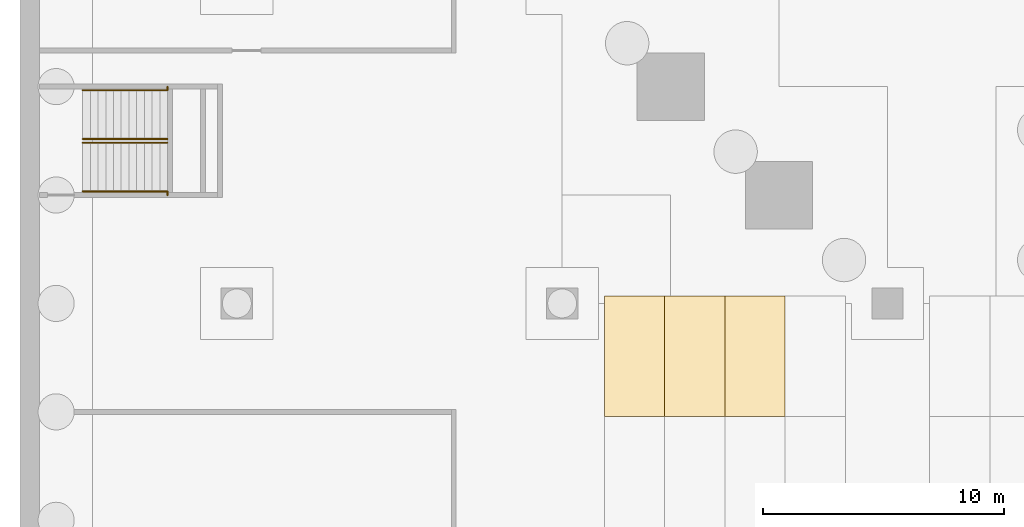
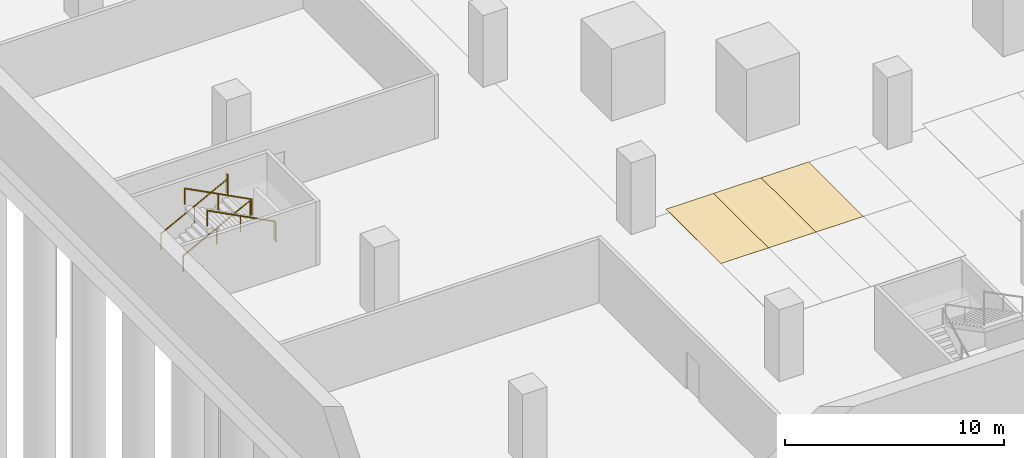
# One storey, part 26 of 40: 6 railings, 3 coverings.
"""IFC4 building model written with IfcOpenShell, lengths in metres."""

import ifcopenshell
import ifcopenshell.guid

model = None  # the IFC model being written
_history = None  # IfcOwnerHistory: only IFC2X3 demands one
_inside = {}  # id of a spatial element -> (the spatial element, [elements in it])
_under = {}  # id of a project, library or spatial element -> (it, [spatial elements below it])
_declared = {}  # id of a project -> (the project, [libraries it declares])
_typed = {}  # id of a type object -> (the type object, [elements of that type])
_made_of = {}  # id of a material, layer set ... -> (it, [elements and type objects made of it])


def new_model(schema):
    """Start an empty IFC model of exactly this schema.

    Asked for "IFC4X3", IfcOpenShell would pick the latest addendum, in which some entities
    have other attributes; the version numbers below select the first issue.
    IFC2X3 requires an IfcOwnerHistory on every rooted entity: one is made here for all.
    """
    global model, _history
    if schema == "IFC4X3":
        model = ifcopenshell.file(schema_version=(4, 3, 0, 0))
    else:
        model = ifcopenshell.file(schema=schema)
    _inside.clear()
    _under.clear()
    _declared.clear()
    _typed.clear()
    _made_of.clear()
    _history = None
    if model.schema == "IFC2X3":
        org = make("IfcOrganization", Name="unknown")
        user = make(
            "IfcPersonAndOrganization",
            ThePerson=make("IfcPerson", FamilyName="unknown"),
            TheOrganization=org,
        )
        app = make(
            "IfcApplication",
            ApplicationDeveloper=org,
            Version="unknown",
            ApplicationFullName="unknown",
            ApplicationIdentifier="unknown",
        )
        _history = make(
            "IfcOwnerHistory",
            OwningUser=user,
            OwningApplication=app,
            ChangeAction="ADDED",
            CreationDate=0,
        )
    return model


def make(cls, **values):
    """One entity of the class cls with the attributes given. An attribute that is None is left unset."""
    return model.create_entity(
        cls, **{name: value for name, value in values.items() if value is not None}
    )


def rooted(cls, **values):
    """An entity with a GlobalId (a new one), such as an element, a storey or a relation."""
    return make(cls, GlobalId=ifcopenshell.guid.new(), OwnerHistory=_history, **values)


def si_unit(unit_type, name, prefix=None):
    """IfcSIUnit, for example si_unit("LENGTHUNIT", "METRE", prefix="MILLI")."""
    return make("IfcSIUnit", UnitType=unit_type, Prefix=prefix, Name=name)


def assignment(units):
    """IfcUnitAssignment: the units of a project."""
    return None if units is None else make("IfcUnitAssignment", Units=units)


def point(xyz):
    """IfcCartesianPoint."""
    return None if xyz is None else make("IfcCartesianPoint", Coordinates=xyz)


def direction(xyz):
    """IfcDirection."""
    return None if xyz is None else make("IfcDirection", DirectionRatios=xyz)


def frame(location, z_axis=None, x_axis=None):
    """IfcAxis2Placement3D, a coordinate frame: its origin and axes. An axis left out is left unset."""
    return make(
        "IfcAxis2Placement3D",
        Location=point(location),
        Axis=direction(z_axis),
        RefDirection=direction(x_axis),
    )


def frame_2d(location, x_axis=None):
    """IfcAxis2Placement2D, a coordinate frame in the plane: its origin and x axis."""
    return make(
        "IfcAxis2Placement2D", Location=point(location), RefDirection=direction(x_axis)
    )


def origin():
    """The frame at (0, 0, 0) with its axes left unset."""
    return frame((0.0, 0.0, 0.0))


def origin_2d():
    """The frame at (0, 0) in the plane with its x axis left unset."""
    return frame_2d((0.0, 0.0))


def place(relative_to, where):
    """IfcLocalPlacement: puts the frame where relative to a parent placement (None: the world)."""
    return make(
        "IfcLocalPlacement", PlacementRelTo=relative_to, RelativePlacement=where
    )


def context(
    kind, dimensions, precision=None, world=None, true_north=None, identifier=None
):
    """IfcGeometricRepresentationContext, for example the 3D "Model" context."""
    return make(
        "IfcGeometricRepresentationContext",
        ContextIdentifier=identifier,
        ContextType=kind,
        CoordinateSpaceDimension=dimensions,
        Precision=precision,
        WorldCoordinateSystem=world,
        TrueNorth=true_north,
    )


def subcontext(parent, identifier, kind, view, scale=None):
    """IfcGeometricRepresentationSubContext, for example "Body" below "Model"."""
    return make(
        "IfcGeometricRepresentationSubContext",
        ContextIdentifier=identifier,
        ContextType=kind,
        ParentContext=parent,
        TargetScale=scale,
        TargetView=view,
    )


def project(units=None, contexts=None):
    """IfcProject with its units and contexts."""
    return rooted(
        "IfcProject",
        Name="project",
        RepresentationContexts=contexts,
        UnitsInContext=assignment(units),
    )


def spatial(cls, under=None, at=None, **own):
    """A site, building, storey or space (cls), placed at a placement, below another one or the project."""
    s = rooted(cls, ObjectPlacement=at, **own)
    if under is not None:
        _under.setdefault(under.id(), (under, []))[1].append(s)
    return s


def polyline(points):
    """IfcPolyline through the points."""
    return make("IfcPolyline", Points=[point(p) for p in points])


def profile(cls, at=None, kind="AREA", **sizes):
    """A parametric profile (cls). Its sizes go by their IFC names, for example OverallWidth=200.0."""
    return make(cls, ProfileType=kind, Position=at, **sizes)


def circle(**sizes):
    """IfcCircleProfileDef."""
    return profile("IfcCircleProfileDef", **sizes)


def outline(outer, holes=None, kind="AREA"):
    """IfcArbitraryClosedProfileDef: a profile drawn as a closed curve; with holes, ...WithVoids."""
    if holes is None:
        return make("IfcArbitraryClosedProfileDef", ProfileType=kind, OuterCurve=outer)
    return make(
        "IfcArbitraryProfileDefWithVoids",
        ProfileType=kind,
        OuterCurve=outer,
        InnerCurves=holes,
    )


def extrude(swept, where, along, depth):
    """IfcExtrudedAreaSolid: the profile swept, set in the frame where, extruded along a direction by depth."""
    return make(
        "IfcExtrudedAreaSolid",
        SweptArea=swept,
        Position=where,
        ExtrudedDirection=direction(along),
        Depth=depth,
    )


def shape(context_of_items, identifier, shape_type, items):
    """IfcShapeRepresentation: the items that make up one representation, for example the "Body"."""
    return make(
        "IfcShapeRepresentation",
        ContextOfItems=context_of_items,
        RepresentationIdentifier=identifier,
        RepresentationType=shape_type,
        Items=items,
    )


def source(mapping_origin, context_of_items, identifier, shape_type, items):
    """IfcRepresentationMap: a shape defined once, which mapped items show again and again."""
    return make(
        "IfcRepresentationMap",
        MappingOrigin=mapping_origin,
        MappedRepresentation=shape(context_of_items, identifier, shape_type, items),
    )


def transform(
    local_origin,
    x_axis=None,
    y_axis=None,
    z_axis=None,
    scale=None,
    scale2=None,
    scale3=None,
    uniform=True,
):
    """IfcCartesianTransformationOperator3D, or its non-uniform kind. x_axis, y_axis, z_axis: its Axis1, 2, 3."""
    if uniform:
        return make(
            "IfcCartesianTransformationOperator3D",
            Axis1=direction(x_axis),
            Axis2=direction(y_axis),
            LocalOrigin=point(local_origin),
            Scale=scale,
            Axis3=direction(z_axis),
        )
    return make(
        "IfcCartesianTransformationOperator3DnonUniform",
        Axis1=direction(x_axis),
        Axis2=direction(y_axis),
        LocalOrigin=point(local_origin),
        Scale=scale,
        Axis3=direction(z_axis),
        Scale2=scale2,
        Scale3=scale3,
    )


def mapped(mapping_source, mapping_target):
    """IfcMappedItem: shows the shape of a source again, moved by a transform."""
    return make(
        "IfcMappedItem", MappingSource=mapping_source, MappingTarget=mapping_target
    )


def material(Name=None, Category=None):
    """IfcMaterial."""
    return make("IfcMaterial", Name=Name, Category=Category)


def layer(
    of_material, thickness, ventilated=None, Name=None, Category=None, Priority=None
):
    """IfcMaterialLayer: one layer of a wall or slab, of a material (None: an air gap)."""
    return make(
        "IfcMaterialLayer",
        Material=of_material,
        LayerThickness=thickness,
        IsVentilated=ventilated,
        Name=Name,
        Category=Category,
        Priority=Priority,
    )


def layer_set(layers, Name=None):
    """IfcMaterialLayerSet."""
    return make("IfcMaterialLayerSet", MaterialLayers=layers, LayerSetName=Name)


def made_of(thing, what):
    """Note that an element or type object is made of a material, layer set ...; save() writes the relation."""
    if what is not None:
        _made_of.setdefault(what.id(), (what, []))[1].append(thing)
    return thing


def type_object(cls, material=None, **own):
    """A type object (cls), such as IfcWallType, which elements share."""
    return made_of(rooted(cls, **own), material)


def element(
    cls,
    number,
    at=None,
    inside=None,
    cuts=None,
    type_object=None,
    material=None,
    context=None,
    identifier="Body",
    shape_type=None,
    held_by="IfcProductDefinitionShape",
    body=None,
    shapes=None,
    **own,
):
    """One element of the class cls, such as IfcWall. Its Tag is "e" and its number.

    at: its placement. inside: the storey or other place that contains it. cuts: it is an
    opening in that element (IfcRelVoidsElement). A single representation is given by context,
    identifier, shape_type and body (its items); several are given by shapes. held_by: the class
    of the entity that holds the representations. save() writes the other relations.
    """
    e = rooted(cls, Tag="e%d" % number, ObjectPlacement=at, **own)
    if body is not None:
        shapes = [shape(context, identifier, shape_type, body)]
    if shapes is not None:
        e.Representation = make(held_by, Representations=shapes)
    if inside is not None:
        _inside.setdefault(inside.id(), (inside, []))[1].append(e)
    if cuts is not None:
        rooted(
            "IfcRelVoidsElement", RelatingBuildingElement=cuts, RelatedOpeningElement=e
        )
    if type_object is not None:
        _typed.setdefault(type_object.id(), (type_object, []))[1].append(e)
    return made_of(e, material)


def aggregate(whole, parts):
    """IfcRelAggregates: a whole, such as a stair, and the parts it consists of."""
    return rooted("IfcRelAggregates", RelatingObject=whole, RelatedObjects=parts)


def save(model, path):
    """Write the relations noted so far, then the file.

    IfcRelAggregates (storeys below a building ...), IfcRelContainedInSpatialStructure (elements
    in a storey), IfcRelDefinesByType, IfcRelAssociatesMaterial and IfcRelDeclares: one each for
    every whole, place, type object, material and project.
    """
    for whole, parts in _under.values():
        aggregate(whole, parts)
    for where, things in _inside.values():
        rooted(
            "IfcRelContainedInSpatialStructure",
            RelatedElements=things,
            RelatingStructure=where,
        )
    for kind, things in _typed.values():
        rooted("IfcRelDefinesByType", RelatedObjects=things, RelatingType=kind)
    for what, things in _made_of.values():
        rooted("IfcRelAssociatesMaterial", RelatedObjects=things, RelatingMaterial=what)
    for by, libraries in _declared.values():
        rooted("IfcRelDeclares", RelatingContext=by, RelatedDefinitions=libraries)
    model.write(path)


model = new_model("IFC4")

# Units and contexts
model_context = context("Model", 3, precision=1e-05, world=origin(), true_north=direction((0.0, 1.0)))
body_context = subcontext(model_context, "Body", "Model", "MODEL_VIEW")
ifc_project = project(units=[si_unit("LENGTHUNIT", "METRE"), si_unit("AREAUNIT", "SQUARE_METRE"), si_unit("VOLUMEUNIT", "CUBIC_METRE"), si_unit("PLANEANGLEUNIT", "RADIAN"), si_unit("MASSUNIT", "GRAM", prefix="KILO")], contexts=[model_context])

# Site, building, storey
site_placement = place(None, origin())
site = spatial("IfcSite", under=ifc_project, at=site_placement, CompositionType="ELEMENT")
building_placement = place(site_placement, origin())
building = spatial("IfcBuilding", under=site, at=building_placement, Name="Altepetl Exchange Towers", CompositionType="ELEMENT")
storey_placement = place(building_placement, frame((0.0, 0.0, -8.0)))
storey = spatial("IfcBuildingStorey", under=building, at=storey_placement, Name="B2 Basement parking", CompositionType="ELEMENT", Elevation=-8.0)

# Coverings
ifc_material_1 = material(Name="Road marking paint")
ifc_layer = layer(ifc_material_1, 0.010009765625)
ifc_layer_set = layer_set([ifc_layer], Name="Road marking paint")
covering_type = type_object("IfcCoveringType", Name="Parking bay marking 2500 x 5000", PredefinedType="FLOORING", material=ifc_layer_set)
covering_1_placement = place(storey_placement, origin())
element("IfcCovering", 1, at=covering_1_placement, inside=storey, type_object=covering_type, Name="Parking bay B2-051", PredefinedType="FLOORING", context=body_context, shape_type="SweptSolid", body=[
    extrude(outline(polyline([(24.25, 17.800048828125), (26.75, 17.800048828125), (26.75, 22.800048828125), (24.25, 22.800048828125), (24.25, 17.800048828125)])), origin(), (0.0, 0.0, 1.0), 0.010009765625),
])
covering_2_placement = place(storey_placement, origin())
element("IfcCovering", 2, at=covering_2_placement, inside=storey, type_object=covering_type, Name="Parking bay B2-052", PredefinedType="FLOORING", context=body_context, shape_type="SweptSolid", body=[
    extrude(outline(polyline([(26.75, 17.800048828125), (29.25, 17.800048828125), (29.25, 22.800048828125), (26.75, 22.800048828125), (26.75, 17.800048828125)])), origin(), (0.0, 0.0, 1.0), 0.010009765625),
])
covering_3_placement = place(storey_placement, origin())
element("IfcCovering", 3, at=covering_3_placement, inside=storey, type_object=covering_type, Name="Parking bay B2-053", PredefinedType="FLOORING", context=body_context, shape_type="SweptSolid", body=[
    extrude(outline(polyline([(29.25, 17.800048828125), (31.75, 17.800048828125), (31.75, 22.800048828125), (29.25, 22.800048828125), (29.25, 17.800048828125)])), origin(), (0.0, 0.0, 1.0), 0.010009765625),
])

# Railings
ifc_material_2 = material(Name="Laminated glass and steel", Category="steel")
railing_type_1 = type_object("IfcRailingType", Name="Hall gallery guard 1100", PredefinedType="GUARDRAIL", material=ifc_material_2)
shared_shape_1 = source(origin(), body_context, "Body", "SweptSolid", [
    extrude(circle(Radius=0.02001953125, at=origin_2d()), origin(), (0.0, 0.0, 1.0), 1.050048828125),
])
for number, where, name in (
    (4, (6.1201171875, 31.5, 2.0), "rail:P:B2:ES3land0"),
    (5, (6.1201171875, 27.14990234375, 2.0), "rail:P:B2:ES3land1"),
):
    element("IfcRailing", number, at=place(storey_placement, frame(where)), inside=storey, type_object=railing_type_1, Name=name, PredefinedType="GUARDRAIL", context=body_context, shape_type="SweptSolid", body=[
        extrude(circle(Radius=0.02490234375, at=origin_2d()), frame((0.0, 0.0, 1.0751953125), z_axis=(0.0, -1.0, 0.0), x_axis=(1.0, 0.0, 0.0)), (0.0, 0.0, 1.0), 0.14990234375),
        mapped(shared_shape_1, transform((0.0, 0.0, 0.0))),
        mapped(shared_shape_1, transform((0.0, -0.14990234375, 0.0))),
    ])
ifc_material_3 = material(Name="Stainless steel", Category="steel")
railing_type_2 = type_object("IfcRailingType", Name="Stair handrail 900", PredefinedType="HANDRAIL", material=ifc_material_3)
shared_shape_2 = source(origin(), body_context, "Body", "SweptSolid", [
    extrude(circle(Radius=0.02001953125, at=origin_2d()), origin(), (0.0, 0.0, 1.0), 0.849853515625),
])
for number, where, name in (
    (6, (2.60009765625, 31.35009765625, 0.166748046875), "rail:P:B2:ES3:1a"),
    (7, (2.60009765625, 29.324951171875, 0.166748046875), "rail:P:B2:ES3:1b"),
):
    element("IfcRailing", number, at=place(storey_placement, frame(where)), inside=storey, type_object=railing_type_2, Name=name, PredefinedType="HANDRAIL", context=body_context, shape_type="SweptSolid", body=[
        extrude(circle(Radius=0.02490234375, at=origin_2d()), frame((0.0, 0.0, 0.875), z_axis=(0.886923534906, 0.0, 0.461916272965), x_axis=(0.0, 1.0, 0.0)), (0.0, 0.0, 1.0), 3.96875),
        mapped(shared_shape_2, transform((0.0, 0.0, 0.0))),
        mapped(shared_shape_2, transform((1.760009765625, 0.0, 0.91650390625))),
        mapped(shared_shape_2, transform((3.52001953125, 0.0, 1.833251953125))),
    ])
for number, where, name in (
    (8, (6.1201171875, 29.175048828125, 2.166748046875), "rail:P:B2:ES3:2a"),
    (9, (6.1201171875, 27.14990234375, 2.166748046875), "rail:P:B2:ES3:2b"),
):
    element("IfcRailing", number, at=place(storey_placement, frame(where)), inside=storey, type_object=railing_type_2, Name=name, PredefinedType="HANDRAIL", context=body_context, shape_type="SweptSolid", body=[
        extrude(circle(Radius=0.02490234375, at=origin_2d()), frame((0.0, 0.0, 0.875), z_axis=(-0.886923534906, 0.0, 0.461916272965), x_axis=(0.0, -1.0, 0.0)), (0.0, 0.0, 1.0), 3.96875),
        mapped(shared_shape_2, transform((0.0, 0.0, 0.0))),
        mapped(shared_shape_2, transform((-1.760009765625, 0.0, 0.91650390625))),
        mapped(shared_shape_2, transform((-3.52001953125, 0.0, 1.833251953125))),
    ])

save(model, "model.ifc")
